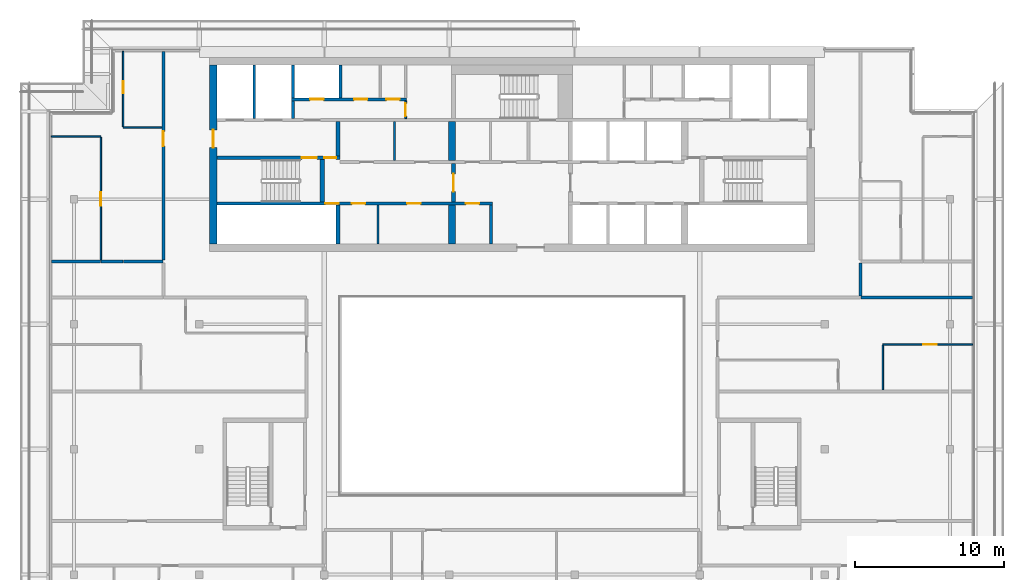
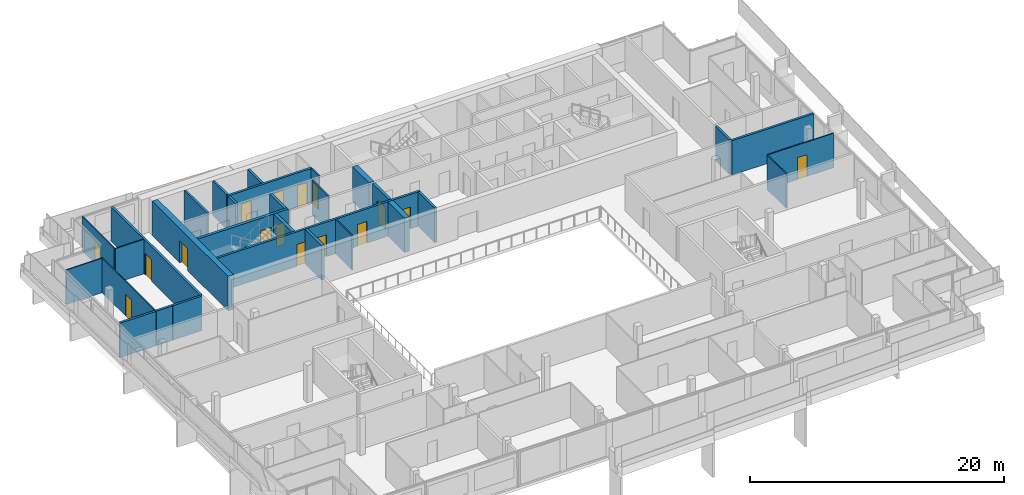
# One storey, part 17 of 26: 30 walls, 16 doors, 16 openings.
"""IFC4 building model written with IfcOpenShell, lengths in metres."""

from ifc_helpers import new_model, si_unit, direction, frame, frame_2d, origin, place, context, subcontext, project, spatial, rectangle, extrude, material, layer, layer_set, type_object, element, fill, save


model = new_model("IFC4")

# Units and contexts
model_context = context("Model", 3, precision=1e-05, world=origin(), true_north=direction((0.0, 1.0)))
body_context = subcontext(model_context, "Body", "Model", "MODEL_VIEW")
ifc_project = project(units=[si_unit("LENGTHUNIT", "METRE"), si_unit("AREAUNIT", "SQUARE_METRE"), si_unit("VOLUMEUNIT", "CUBIC_METRE"), si_unit("PLANEANGLEUNIT", "RADIAN"), si_unit("MASSUNIT", "GRAM", prefix="KILO")], contexts=[model_context])

# Site, building, storey
site_placement = place(None, origin())
site = spatial("IfcSite", under=ifc_project, at=site_placement, CompositionType="ELEMENT")
building_placement = place(site_placement, origin())
building = spatial("IfcBuilding", under=site, at=building_placement, Name="Saffron Gate Tower", CompositionType="ELEMENT")
storey_placement = place(building_placement, frame((0.0, 0.0, 277.949951171875)))
storey = spatial("IfcBuildingStorey", under=building, at=storey_placement, Name="L67", CompositionType="ELEMENT", Elevation=277.949951171875)

# Wall
ifc_material_1 = material(Name="Gypsum board partition on steel studs", Category="steel")
ifc_layer_1 = layer(ifc_material_1, 0.199951171875)
ifc_layer_set_1 = layer_set([ifc_layer_1], Name="CW10 Core partition 200")
wall_type_1 = type_object("IfcWallType", Name="CW10 Core partition 200", PredefinedType="PARTITIONING", material=ifc_layer_set_1)
wall_1_placement = place(storey_placement, frame((86.199951171875, 62.39990234375, 0.0), z_axis=(0.0, 0.0, 1.0), x_axis=(0.0, 1.0, 0.0)))
element("IfcWall", 1, at=wall_1_placement, inside=storey, type_object=wall_type_1, Name="Wall CW10-L67-8", PredefinedType="PARTITIONING", context=body_context, shape_type="SweptSolid", body=[
    extrude(rectangle(XDim=2.60009765625, YDim=0.199951171875, at=frame_2d((1.300048828125, 0.0))), origin(), (0.0, 0.0, 1.0), 3.320068359375),
])

# Wall, opening, door
ifc_material_2 = material(Name="Concrete C50", Category="concrete")
ifc_layer_2 = layer(ifc_material_2, 0.5)
ifc_layer_set_2 = layer_set([ifc_layer_2], Name="CW22 RC core wall 500 C50")
wall_type_2 = type_object("IfcWallType", Name="CW22 RC core wall 500 C50", PredefinedType="SOLIDWALL", material=ifc_layer_set_2)
wall_2_placement = place(storey_placement, frame((67.550048828125, 62.39990234375, 0.0), z_axis=(0.0, 0.0, 1.0), x_axis=(0.0, 1.0, 0.0)))
wall_2 = element("IfcWall", 2, at=wall_2_placement, inside=storey, type_object=wall_type_2, Name="Wall CW22-L67-3", PredefinedType="SOLIDWALL", context=body_context, shape_type="SweptSolid", body=[
    extrude(rectangle(XDim=12.0, YDim=0.5, at=frame_2d((6.0, 0.0))), origin(), (0.0, 0.0, 1.0), 3.320068359375),
])
opening_1_placement = place(wall_2_placement, frame((6.449951171875, 0.0, 0.0)))
opening_1 = element("IfcOpeningElement", 3, at=opening_1_placement, cuts=wall_2, Name="Opening CR-10", PredefinedType="OPENING", context=body_context, shape_type="SweptSolid", body=[
    extrude(rectangle(XDim=1.199951171875, YDim=2.10009765625, at=frame_2d((0.60009765625, 1.050048828125))), frame((0.0, 0.260009765625, 0.0), z_axis=(0.0, -1.0, 0.0), x_axis=(1.0, 0.0, 0.0)), (0.0, 0.0, 1.0), 0.52001953125),
])
ifc_material_3 = material(Name="Steel fire door set", Category="steel")
door_type_1 = type_object("IfcDoorType", Name="CD7 Core entrance door 1200x2100 EI 120", OperationType="NOTDEFINED", PredefinedType="DOOR", material=ifc_material_3)
door_1_placement = place(opening_1_placement, origin())
door_1 = element("IfcDoor", 4, at=door_1_placement, inside=storey, type_object=door_type_1, Name="DOOR CR-10", OperationType="SINGLE_SWING_LEFT", OverallHeight=2.10009765625, OverallWidth=1.199951171875, PredefinedType="DOOR", context=body_context, shape_type="SweptSolid", body=[
    extrude(rectangle(XDim=1.199951171875, YDim=2.10009765625, at=frame_2d((0.60009765625, 1.050048828125))), frame((0.0, 0.02490234375, 0.0), z_axis=(0.0, -1.0, 0.0), x_axis=(1.0, 0.0, 0.0)), (0.0, 0.0, 1.0), 0.050048828125),
])
fill(opening_1, door_1)

# Wall
ifc_layer_3 = layer(ifc_material_2, 0.25)
ifc_layer_set_3 = layer_set([ifc_layer_3], Name="CW23 RC core wall 250 C50")
wall_type_3 = type_object("IfcWallType", Name="CW23 RC core wall 250 C50", PredefinedType="SOLIDWALL", material=ifc_layer_set_3)
wall_3_placement = place(storey_placement, frame((75.925048828125, 62.39990234375, 0.0), z_axis=(0.0, 0.0, 1.0), x_axis=(0.0, 1.0, 0.0)))
element("IfcWall", 5, at=wall_3_placement, inside=storey, type_object=wall_type_3, Name="Wall CW23-L67-5", PredefinedType="SOLIDWALL", context=body_context, shape_type="SweptSolid", body=[
    extrude(rectangle(XDim=2.60009765625, YDim=0.25, at=frame_2d((1.300048828125, 0.0))), origin(), (0.0, 0.0, 1.0), 3.320068359375),
])

# Wall, opening, door
wall_4_placement = place(storey_placement, frame((83.675048828125, 65.199951171875, 0.0), z_axis=(0.0, 0.0, 1.0), x_axis=(0.0, 1.0, 0.0)))
wall_4 = element("IfcWall", 6, at=wall_4_placement, inside=storey, type_object=wall_type_3, Name="Wall CW23-L67-16", PredefinedType="SOLIDWALL", context=body_context, shape_type="SweptSolid", body=[
    extrude(rectangle(XDim=2.60009765625, YDim=0.25, at=frame_2d((1.300048828125, 0.0))), origin(), (0.0, 0.0, 1.0), 3.320068359375),
])
opening_2_placement = place(wall_4_placement, frame((0.699951171875, 0.0, 0.0)))
opening_2 = element("IfcOpeningElement", 7, at=opening_2_placement, cuts=wall_4, Name="Opening CR-07", PredefinedType="OPENING", context=body_context, shape_type="SweptSolid", body=[
    extrude(rectangle(XDim=1.199951171875, YDim=2.10009765625, at=frame_2d((0.60009765625, 1.050048828125))), frame((0.0, 0.135009765625, 0.0), z_axis=(0.0, -1.0, 0.0), x_axis=(1.0, 0.0, 0.0)), (0.0, 0.0, 1.0), 0.27001953125),
])
door_type_2 = type_object("IfcDoorType", Name="CD3 Lobby door 1200x2100 EI 120", OperationType="NOTDEFINED", PredefinedType="DOOR", material=ifc_material_3)
door_2_placement = place(opening_2_placement, origin())
door_2 = element("IfcDoor", 8, at=door_2_placement, inside=storey, type_object=door_type_2, Name="DOOR CR-07", OperationType="SINGLE_SWING_RIGHT", OverallHeight=2.10009765625, OverallWidth=1.199951171875, PredefinedType="DOOR", context=body_context, shape_type="SweptSolid", body=[
    extrude(rectangle(XDim=1.199951171875, YDim=2.10009765625, at=frame_2d((0.60009765625, 1.050048828125))), frame((0.0, 0.02490234375, 0.0), z_axis=(0.0, -1.0, 0.0), x_axis=(1.0, 0.0, 0.0)), (0.0, 0.0, 1.0), 0.050048828125),
])
fill(opening_2, door_2)

# Wall, openings, doors
wall_5_placement = place(storey_placement, frame((67.800048828125, 68.175048828125, 0.0), z_axis=(0.0, 0.0, 1.0), x_axis=(1.0, 0.0, 0.0)))
wall_5 = element("IfcWall", 9, at=wall_5_placement, inside=storey, type_object=wall_type_3, Name="Wall CW23-L67-28", PredefinedType="SOLIDWALL", context=body_context, shape_type="SweptSolid", body=[
    extrude(rectangle(XDim=8.25, YDim=0.25, at=frame_2d((4.125, 0.0))), origin(), (0.0, 0.0, 1.0), 3.320068359375),
])
opening_3_placement = place(wall_5_placement, frame((5.699951171875, 0.0, 0.0)))
opening_3 = element("IfcOpeningElement", 10, at=opening_3_placement, cuts=wall_5, Name="Opening CR-15", PredefinedType="OPENING", context=body_context, shape_type="SweptSolid", body=[
    extrude(rectangle(XDim=1.0, YDim=2.10009765625, at=frame_2d((0.5, 1.050048828125))), frame((0.0, 0.135009765625, 0.0), z_axis=(0.0, -1.0, 0.0), x_axis=(1.0, 0.0, 0.0)), (0.0, 0.0, 1.0), 0.27001953125),
])
opening_4_placement = place(wall_5_placement, frame((7.199951171875, 0.0, 0.0)))
opening_4 = element("IfcOpeningElement", 11, at=opening_4_placement, cuts=wall_5, Name="Opening CR-06", PredefinedType="OPENING", context=body_context, shape_type="SweptSolid", body=[
    extrude(rectangle(XDim=0.800048828125, YDim=2.10009765625, at=frame_2d((0.39990234375, 1.050048828125))), frame((0.0, 0.135009765625, 0.0), z_axis=(0.0, -1.0, 0.0), x_axis=(1.0, 0.0, 0.0)), (0.0, 0.0, 1.0), 0.27001953125),
])
door_type_3 = type_object("IfcDoorType", Name="CD5 Stair door 1000x2100 EI 120", OperationType="NOTDEFINED", PredefinedType="DOOR", material=ifc_material_3)
door_3_placement = place(opening_3_placement, origin())
door_3 = element("IfcDoor", 12, at=door_3_placement, inside=storey, type_object=door_type_3, Name="DOOR CR-15", OperationType="SINGLE_SWING_RIGHT", OverallHeight=2.10009765625, OverallWidth=1.0, PredefinedType="DOOR", context=body_context, shape_type="SweptSolid", body=[
    extrude(rectangle(XDim=1.0, YDim=2.10009765625, at=frame_2d((0.5, 1.050048828125))), frame((0.0, 0.02490234375, 0.0), z_axis=(0.0, -1.0, 0.0), x_axis=(1.0, 0.0, 0.0)), (0.0, 0.0, 1.0), 0.050048828125),
])
fill(opening_3, door_3)
door_type_4 = type_object("IfcDoorType", Name="CD6 Lobby door 800x2100 EI 120", OperationType="NOTDEFINED", PredefinedType="DOOR", material=ifc_material_3)
door_4_placement = place(opening_4_placement, origin())
door_4 = element("IfcDoor", 13, at=door_4_placement, inside=storey, type_object=door_type_4, Name="DOOR CR-06", OperationType="SINGLE_SWING_LEFT", OverallHeight=2.10009765625, OverallWidth=0.800048828125, PredefinedType="DOOR", context=body_context, shape_type="SweptSolid", body=[
    extrude(rectangle(XDim=0.800048828125, YDim=2.10009765625, at=frame_2d((0.39990234375, 1.050048828125))), frame((0.0, 0.02490234375, 0.0), z_axis=(0.0, -1.0, 0.0), x_axis=(1.0, 0.0, 0.0)), (0.0, 0.0, 1.0), 0.050048828125),
])
fill(opening_4, door_4)

# Walls
wall_6_placement = place(storey_placement, frame((75.925048828125, 68.300048828125, 0.0), z_axis=(0.0, 0.0, 1.0), x_axis=(0.0, 1.0, 0.0)))
element("IfcWall", 14, at=wall_6_placement, inside=storey, type_object=wall_type_3, Name="Wall CW23-L67-30", PredefinedType="SOLIDWALL", context=body_context, shape_type="SweptSolid", body=[
    extrude(rectangle(XDim=2.300048828125, YDim=0.25, at=frame_2d((1.14990234375, 0.0))), origin(), (0.0, 0.0, 1.0), 3.320068359375),
])
ifc_layer_4 = layer(ifc_material_2, 0.449951171875)
ifc_layer_set_4 = layer_set([ifc_layer_4], Name="CW24 RC core wall 450 C50")
wall_type_4 = type_object("IfcWallType", Name="CW24 RC core wall 450 C50", PredefinedType="SOLIDWALL", material=ifc_layer_set_4)
for number, where, z_axis, x_axis, name in (
    (15, (83.574951171875, 62.39990234375, 0.0), (0.0, 0.0, 1.0), (0.0, 1.0, 0.0), "Wall CW24-L67-7"),
    (16, (83.574951171875, 68.0, 0.0), (0.0, 0.0, 1.0), (0.0, 1.0, 0.0), "Wall CW24-L67-21"),
):
    element("IfcWall", number, at=place(storey_placement, frame(where, z_axis=z_axis, x_axis=x_axis)), inside=storey, type_object=wall_type_4, Name=name, PredefinedType="SOLIDWALL", context=body_context, shape_type="SweptSolid", body=[
        extrude(rectangle(XDim=2.60009765625, YDim=0.449951171875, at=frame_2d((1.300048828125, 0.0))), origin(), (0.0, 0.0, 1.0), 3.320068359375),
    ])

# Wall, openings, doors
ifc_layer_5 = layer(ifc_material_2, 0.199951171875)
ifc_layer_set_5 = layer_set([ifc_layer_5], Name="CW25 RC core wall 200 C50")
wall_type_5 = type_object("IfcWallType", Name="CW25 RC core wall 200 C50", PredefinedType="SOLIDWALL", material=ifc_layer_set_5)
wall_7_placement = place(storey_placement, frame((67.800048828125, 65.10009765625, 0.0), z_axis=(0.0, 0.0, 1.0), x_axis=(1.0, 0.0, 0.0)))
wall_7 = element("IfcWall", 17, at=wall_7_placement, inside=storey, type_object=wall_type_5, Name="Wall CW25-L67-13", PredefinedType="SOLIDWALL", context=body_context, shape_type="SweptSolid", body=[
    extrude(rectangle(XDim=18.5, YDim=0.199951171875, at=frame_2d((9.25, 0.0))), origin(), (0.0, 0.0, 1.0), 3.320068359375),
])
opening_5_placement = place(wall_7_placement, frame((7.27001953125, 0.0, 0.0)))
opening_5 = element("IfcOpeningElement", 18, at=opening_5_placement, cuts=wall_7, Name="Opening CR-49", PredefinedType="OPENING", context=body_context, shape_type="SweptSolid", body=[
    extrude(rectangle(XDim=0.89990234375, YDim=2.10009765625, at=frame_2d((0.449951171875, 1.050048828125))), frame((0.0, 0.10986328125, 0.0), z_axis=(0.0, -1.0, 0.0), x_axis=(1.0, 0.0, 0.0)), (0.0, 0.0, 1.0), 0.219970703125),
])
opening_6_placement = place(wall_7_placement, frame((9.050048828125, 0.0, 0.0)))
opening_6 = element("IfcOpeningElement", 19, at=opening_6_placement, cuts=wall_7, Name="Opening CR-64", PredefinedType="OPENING", context=body_context, shape_type="SweptSolid", body=[
    extrude(rectangle(XDim=0.89990234375, YDim=2.10009765625, at=frame_2d((0.449951171875, 1.050048828125))), frame((0.0, 0.10986328125, 0.0), z_axis=(0.0, -1.0, 0.0), x_axis=(1.0, 0.0, 0.0)), (0.0, 0.0, 1.0), 0.219970703125),
])
opening_7_placement = place(wall_7_placement, frame((12.760009765625, 0.0, 0.0)))
opening_7 = element("IfcOpeningElement", 20, at=opening_7_placement, cuts=wall_7, Name="Opening CR-65", PredefinedType="OPENING", context=body_context, shape_type="SweptSolid", body=[
    extrude(rectangle(XDim=0.89990234375, YDim=2.10009765625, at=frame_2d((0.449951171875, 1.050048828125))), frame((0.0, 0.10986328125, 0.0), z_axis=(0.0, -1.0, 0.0), x_axis=(1.0, 0.0, 0.0)), (0.0, 0.0, 1.0), 0.219970703125),
])
opening_8_placement = place(wall_7_placement, frame((16.699951171875, 0.0, 0.0)))
opening_8 = element("IfcOpeningElement", 21, at=opening_8_placement, cuts=wall_7, Name="Opening CR-69", PredefinedType="OPENING", context=body_context, shape_type="SweptSolid", body=[
    extrude(rectangle(XDim=0.89990234375, YDim=2.10009765625, at=frame_2d((0.449951171875, 1.050048828125))), frame((0.0, 0.10986328125, 0.0), z_axis=(0.0, -1.0, 0.0), x_axis=(1.0, 0.0, 0.0)), (0.0, 0.0, 1.0), 0.219970703125),
])
door_type_5 = type_object("IfcDoorType", Name="CD2 Riser door 900x2100 EI 60", OperationType="NOTDEFINED", PredefinedType="DOOR", material=ifc_material_3)
door_5_placement = place(opening_5_placement, origin())
door_5 = element("IfcDoor", 22, at=door_5_placement, inside=storey, type_object=door_type_5, Name="DOOR CR-49", OperationType="SINGLE_SWING_LEFT", OverallHeight=2.10009765625, OverallWidth=0.89990234375, PredefinedType="DOOR", context=body_context, shape_type="SweptSolid", body=[
    extrude(rectangle(XDim=0.89990234375, YDim=2.10009765625, at=frame_2d((0.449951171875, 1.050048828125))), frame((0.0, 0.02490234375, 0.0), z_axis=(0.0, -1.0, 0.0), x_axis=(1.0, 0.0, 0.0)), (0.0, 0.0, 1.0), 0.050048828125),
])
fill(opening_5, door_5)
door_type_6 = type_object("IfcDoorType", Name="CD9 Room door 900x2100 EI 60", OperationType="NOTDEFINED", PredefinedType="DOOR", material=ifc_material_3)
door_6_placement = place(opening_6_placement, origin())
door_6 = element("IfcDoor", 23, at=door_6_placement, inside=storey, type_object=door_type_6, Name="DOOR CR-64", OperationType="SINGLE_SWING_RIGHT", OverallHeight=2.10009765625, OverallWidth=0.89990234375, PredefinedType="DOOR", context=body_context, shape_type="SweptSolid", body=[
    extrude(rectangle(XDim=0.89990234375, YDim=2.10009765625, at=frame_2d((0.449951171875, 1.050048828125))), frame((0.0, 0.02490234375, 0.0), z_axis=(0.0, -1.0, 0.0), x_axis=(1.0, 0.0, 0.0)), (0.0, 0.0, 1.0), 0.050048828125),
])
fill(opening_6, door_6)
door_7_placement = place(opening_7_placement, origin())
door_7 = element("IfcDoor", 24, at=door_7_placement, inside=storey, type_object=door_type_6, Name="DOOR CR-65", OperationType="SINGLE_SWING_RIGHT", OverallHeight=2.10009765625, OverallWidth=0.89990234375, PredefinedType="DOOR", context=body_context, shape_type="SweptSolid", body=[
    extrude(rectangle(XDim=0.89990234375, YDim=2.10009765625, at=frame_2d((0.449951171875, 1.050048828125))), frame((0.0, 0.02490234375, 0.0), z_axis=(0.0, -1.0, 0.0), x_axis=(1.0, 0.0, 0.0)), (0.0, 0.0, 1.0), 0.050048828125),
])
fill(opening_7, door_7)
door_8_placement = place(opening_8_placement, origin())
door_8 = element("IfcDoor", 25, at=door_8_placement, inside=storey, type_object=door_type_6, Name="DOOR CR-69", OperationType="SINGLE_SWING_RIGHT", OverallHeight=2.10009765625, OverallWidth=0.89990234375, PredefinedType="DOOR", context=body_context, shape_type="SweptSolid", body=[
    extrude(rectangle(XDim=0.89990234375, YDim=2.10009765625, at=frame_2d((0.449951171875, 1.050048828125))), frame((0.0, 0.02490234375, 0.0), z_axis=(0.0, -1.0, 0.0), x_axis=(1.0, 0.0, 0.0)), (0.0, 0.0, 1.0), 0.050048828125),
])
fill(opening_8, door_8)

# Walls
wall_8_placement = place(storey_placement, frame((70.300048828125, 70.800048828125, 0.0), z_axis=(0.0, 0.0, 1.0), x_axis=(0.0, 1.0, 0.0)))
element("IfcWall", 26, at=wall_8_placement, inside=storey, type_object=wall_type_5, Name="Wall CW25-L67-33", PredefinedType="SOLIDWALL", context=body_context, shape_type="SweptSolid", body=[
    extrude(rectangle(XDim=3.599853515625, YDim=0.199951171875, at=frame_2d((1.7998046875, 0.0))), origin(), (0.0, 0.0, 1.0), 3.320068359375),
])
wall_9_placement = place(storey_placement, frame((72.89990234375, 70.800048828125, 0.0), z_axis=(0.0, 0.0, 1.0), x_axis=(0.0, 1.0, 0.0)))
element("IfcWall", 27, at=wall_9_placement, inside=storey, type_object=wall_type_5, Name="Wall CW25-L67-34", PredefinedType="SOLIDWALL", context=body_context, shape_type="SweptSolid", body=[
    extrude(rectangle(XDim=1.199951171875, YDim=0.199951171875, at=frame_2d((0.60009765625, 0.0))), origin(), (0.0, 0.0, 1.0), 3.320068359375),
])

# Wall, openings, doors
wall_10_placement = place(storey_placement, frame((72.800048828125, 72.10009765625, 0.0), z_axis=(0.0, 0.0, 1.0), x_axis=(1.0, 0.0, 0.0)))
wall_10 = element("IfcWall", 28, at=wall_10_placement, inside=storey, type_object=wall_type_5, Name="Wall CW25-L67-41", PredefinedType="SOLIDWALL", context=body_context, shape_type="SweptSolid", body=[
    extrude(rectangle(XDim=7.719970703125, YDim=0.199951171875, at=frame_2d((3.85986328125, 0.0))), origin(), (0.0, 0.0, 1.0), 3.320068359375),
])
opening_9_placement = place(wall_10_placement, frame((1.25, 0.0, 0.0)))
opening_9 = element("IfcOpeningElement", 29, at=opening_9_placement, cuts=wall_10, Name="Opening CR-71", PredefinedType="OPENING", context=body_context, shape_type="SweptSolid", body=[
    extrude(rectangle(XDim=0.89990234375, YDim=2.10009765625, at=frame_2d((0.449951171875, 1.050048828125))), frame((0.0, 0.10986328125, 0.0), z_axis=(0.0, -1.0, 0.0), x_axis=(1.0, 0.0, 0.0)), (0.0, 0.0, 1.0), 0.219970703125),
])
opening_10_placement = place(wall_10_placement, frame((4.199951171875, 0.0, 0.0)))
opening_10 = element("IfcOpeningElement", 30, at=opening_10_placement, cuts=wall_10, Name="Opening CR-55", PredefinedType="OPENING", context=body_context, shape_type="SweptSolid", body=[
    extrude(rectangle(XDim=0.89990234375, YDim=2.10009765625, at=frame_2d((0.449951171875, 1.050048828125))), frame((0.0, 0.10986328125, 0.0), z_axis=(0.0, -1.0, 0.0), x_axis=(1.0, 0.0, 0.0)), (0.0, 0.0, 1.0), 0.219970703125),
])
opening_11_placement = place(wall_10_placement, frame((6.360107421875, 0.0, 0.0)))
opening_11 = element("IfcOpeningElement", 31, at=opening_11_placement, cuts=wall_10, Name="Opening CR-58", PredefinedType="OPENING", context=body_context, shape_type="SweptSolid", body=[
    extrude(rectangle(XDim=0.89990234375, YDim=2.10009765625, at=frame_2d((0.449951171875, 1.050048828125))), frame((0.0, 0.10986328125, 0.0), z_axis=(0.0, -1.0, 0.0), x_axis=(1.0, 0.0, 0.0)), (0.0, 0.0, 1.0), 0.219970703125),
])
door_9_placement = place(opening_9_placement, origin())
door_9 = element("IfcDoor", 32, at=door_9_placement, inside=storey, type_object=door_type_5, Name="DOOR CR-71", OperationType="SINGLE_SWING_LEFT", OverallHeight=2.10009765625, OverallWidth=0.89990234375, PredefinedType="DOOR", context=body_context, shape_type="SweptSolid", body=[
    extrude(rectangle(XDim=0.89990234375, YDim=2.10009765625, at=frame_2d((0.449951171875, 1.050048828125))), frame((0.0, 0.02490234375, 0.0), z_axis=(0.0, -1.0, 0.0), x_axis=(1.0, 0.0, 0.0)), (0.0, 0.0, 1.0), 0.050048828125),
])
fill(opening_9, door_9)
door_10_placement = place(opening_10_placement, origin())
door_10 = element("IfcDoor", 33, at=door_10_placement, inside=storey, type_object=door_type_6, Name="DOOR CR-55", OperationType="SINGLE_SWING_LEFT", OverallHeight=2.10009765625, OverallWidth=0.89990234375, PredefinedType="DOOR", context=body_context, shape_type="SweptSolid", body=[
    extrude(rectangle(XDim=0.89990234375, YDim=2.10009765625, at=frame_2d((0.449951171875, 1.050048828125))), frame((0.0, 0.02490234375, 0.0), z_axis=(0.0, -1.0, 0.0), x_axis=(1.0, 0.0, 0.0)), (0.0, 0.0, 1.0), 0.050048828125),
])
fill(opening_10, door_10)
door_11_placement = place(opening_11_placement, origin())
door_11 = element("IfcDoor", 34, at=door_11_placement, inside=storey, type_object=door_type_6, Name="DOOR CR-58", OperationType="SINGLE_SWING_LEFT", OverallHeight=2.10009765625, OverallWidth=0.89990234375, PredefinedType="DOOR", context=body_context, shape_type="SweptSolid", body=[
    extrude(rectangle(XDim=0.89990234375, YDim=2.10009765625, at=frame_2d((0.449951171875, 1.050048828125))), frame((0.0, 0.02490234375, 0.0), z_axis=(0.0, -1.0, 0.0), x_axis=(1.0, 0.0, 0.0)), (0.0, 0.0, 1.0), 0.050048828125),
])
fill(opening_11, door_11)

# Walls
for number, where, z_axis, x_axis, name in (
    (35, (72.89990234375, 72.199951171875, 0.0), (0.0, 0.0, 1.0), (0.0, 1.0, 0.0), "Wall CW25-L67-43"),
    (36, (76.10009765625, 72.199951171875, 0.0), (0.0, 0.0, 1.0), (0.0, 1.0, 0.0), "Wall CW25-L67-44"),
):
    element("IfcWall", number, at=place(storey_placement, frame(where, z_axis=z_axis, x_axis=x_axis)), inside=storey, type_object=wall_type_5, Name=name, PredefinedType="SOLIDWALL", context=body_context, shape_type="SweptSolid", body=[
        extrude(rectangle(XDim=2.199951171875, YDim=0.199951171875, at=frame_2d((1.10009765625, 0.0))), origin(), (0.0, 0.0, 1.0), 3.320068359375),
    ])
ifc_layer_6 = layer(ifc_material_2, 0.300048828125)
ifc_layer_set_6 = layer_set([ifc_layer_6], Name="CW26 RC core wall 300 C50")
wall_type_6 = type_object("IfcWallType", Name="CW26 RC core wall 300 C50", PredefinedType="SOLIDWALL", material=ifc_layer_set_6)
wall_11_placement = place(storey_placement, frame((74.85009765625, 65.199951171875, 0.0), z_axis=(0.0, 0.0, 1.0), x_axis=(0.0, 1.0, 0.0)))
element("IfcWall", 37, at=wall_11_placement, inside=storey, type_object=wall_type_6, Name="Wall CW26-L67-15", PredefinedType="SOLIDWALL", context=body_context, shape_type="SweptSolid", body=[
    extrude(rectangle(XDim=2.85009765625, YDim=0.300048828125, at=frame_2d((1.425048828125, 0.0))), origin(), (0.0, 0.0, 1.0), 3.320068359375),
])
ifc_layer_7 = layer(ifc_material_1, 0.1201171875)
ifc_layer_set_7 = layer_set([ifc_layer_7], Name="CW8 Core partition 120")
wall_type_7 = type_object("IfcWallType", Name="CW8 Core partition 120", PredefinedType="PARTITIONING", material=ifc_layer_set_7)
for number, where, z_axis, x_axis, name in (
    (38, (78.610107421875, 62.39990234375, 0.0), (0.0, 0.0, 1.0), (0.0, 1.0, 0.0), "Wall CW8-L67-6"),
    (39, (79.7099609375, 68.0, 0.0), (0.0, 0.0, 1.0), (0.0, 1.0, 0.0), "Wall CW8-L67-20"),
):
    element("IfcWall", number, at=place(storey_placement, frame(where, z_axis=z_axis, x_axis=x_axis)), inside=storey, type_object=wall_type_7, Name=name, PredefinedType="PARTITIONING", context=body_context, shape_type="SweptSolid", body=[
        extrude(rectangle(XDim=2.60009765625, YDim=0.1201171875, at=frame_2d((1.300048828125, 0.0))), origin(), (0.0, 0.0, 1.0), 3.320068359375),
    ])

# Wall, opening, door
wall_12_placement = place(storey_placement, frame((80.4599609375, 70.800048828125, 0.0), z_axis=(0.0, 0.0, 1.0), x_axis=(0.0, 1.0, 0.0)))
wall_12 = element("IfcWall", 40, at=wall_12_placement, inside=storey, type_object=wall_type_7, Name="Wall CW8-L67-35", PredefinedType="PARTITIONING", context=body_context, shape_type="SweptSolid", body=[
    extrude(rectangle(XDim=1.199951171875, YDim=0.1201171875, at=frame_2d((0.60009765625, 0.0))), origin(), (0.0, 0.0, 1.0), 3.320068359375),
])
opening_12_placement = place(wall_12_placement, frame((0.14990234375, 0.0, 0.0)))
opening_12 = element("IfcOpeningElement", 41, at=opening_12_placement, cuts=wall_12, Name="Opening CR-60", PredefinedType="OPENING", context=body_context, shape_type="SweptSolid", body=[
    extrude(rectangle(XDim=0.89990234375, YDim=2.10009765625, at=frame_2d((0.449951171875, 1.050048828125))), frame((0.0, 0.070068359375, 0.0), z_axis=(0.0, -1.0, 0.0), x_axis=(1.0, 0.0, 0.0)), (0.0, 0.0, 1.0), 0.14013671875),
])
door_12_placement = place(opening_12_placement, origin())
door_12 = element("IfcDoor", 42, at=door_12_placement, inside=storey, type_object=door_type_6, Name="DOOR CR-60", OperationType="SINGLE_SWING_RIGHT", OverallHeight=2.10009765625, OverallWidth=0.89990234375, PredefinedType="DOOR", context=body_context, shape_type="SweptSolid", body=[
    extrude(rectangle(XDim=0.89990234375, YDim=2.10009765625, at=frame_2d((0.449951171875, 1.050048828125))), frame((0.0, 0.02490234375, 0.0), z_axis=(0.0, -1.0, 0.0), x_axis=(1.0, 0.0, 0.0)), (0.0, 0.0, 1.0), 0.050048828125),
])
fill(opening_12, door_12)

ifc_material_4 = material(Name="Plasterboard on steel studs", Category="steel")
ifc_layer_8 = layer(ifc_material_4, 0.10009765625)
ifc_layer_set_8 = layer_set([ifc_layer_8], Name="PW1 Partition 100")
wall_type_8 = type_object("IfcWallType", Name="PW1 Partition 100", PredefinedType="PARTITIONING", material=ifc_layer_set_8)
wall_13_placement = place(storey_placement, frame((118.52001953125, 55.64990234375, 0.0), z_axis=(0.0, 0.0, 1.0), x_axis=(-1.0, 0.0, 0.0)))
wall_13 = element("IfcWall", 43, at=wall_13_placement, inside=storey, type_object=wall_type_8, Name="Partition E3-16", PredefinedType="PARTITIONING", context=body_context, shape_type="SweptSolid", body=[
    extrude(rectangle(XDim=6.02001953125, YDim=0.10009765625, at=frame_2d((3.010009765625, 0.0))), origin(), (0.0, 0.0, 1.0), 3.320068359375),
])
opening_13_placement = place(wall_13_placement, frame((2.419921875, 0.0, 0.0)))
opening_13 = element("IfcOpeningElement", 44, at=opening_13_placement, cuts=wall_13, Name="Opening E3-20", PredefinedType="OPENING", context=body_context, shape_type="SweptSolid", body=[
    extrude(rectangle(XDim=0.89990234375, YDim=2.10009765625, at=frame_2d((0.449951171875, 1.050048828125))), frame((0.0, 0.06005859375, 0.0), z_axis=(0.0, -1.0, 0.0), x_axis=(1.0, 0.0, 0.0)), (0.0, 0.0, 1.0), 0.1201171875),
])
ifc_material_5 = material(Name="Timber door set", Category="wood")
door_type_7 = type_object("IfcDoorType", Name="RD1 Room door 900x2100", OperationType="NOTDEFINED", PredefinedType="DOOR", material=ifc_material_5)
door_13_placement = place(opening_13_placement, origin())
door_13 = element("IfcDoor", 45, at=door_13_placement, inside=storey, type_object=door_type_7, Name="Door E3-20", OperationType="SINGLE_SWING_LEFT", OverallHeight=2.10009765625, OverallWidth=0.89990234375, PredefinedType="DOOR", context=body_context, shape_type="SweptSolid", body=[
    extrude(rectangle(XDim=0.89990234375, YDim=2.10009765625, at=frame_2d((0.449951171875, 1.050048828125))), frame((0.0, 0.02490234375, 0.0), z_axis=(0.0, -1.0, 0.0), x_axis=(1.0, 0.0, 0.0)), (0.0, 0.0, 1.0), 0.050048828125),
])
fill(opening_13, door_13)

# Walls
wall_14_placement = place(storey_placement, frame((56.679931640625, 69.60009765625, 0.0), z_axis=(0.0, 0.0, 1.0), x_axis=(1.0, 0.0, 0.0)))
element("IfcWall", 46, at=wall_14_placement, inside=storey, type_object=wall_type_8, Name="Partition E3-29", PredefinedType="PARTITIONING", context=body_context, shape_type="SweptSolid", body=[
    extrude(rectangle(XDim=3.320068359375, YDim=0.10009765625, at=frame_2d((1.66015625, 0.0))), origin(), (0.0, 0.0, 1.0), 3.320068359375),
])
wall_15_placement = place(storey_placement, frame((61.5, 70.199951171875, 0.0), z_axis=(0.0, 0.0, 1.0), x_axis=(1.0, 0.0, 0.0)))
element("IfcWall", 47, at=wall_15_placement, inside=storey, type_object=wall_type_8, Name="Partition E3-31", PredefinedType="PARTITIONING", context=body_context, shape_type="SweptSolid", body=[
    extrude(rectangle(XDim=2.60009765625, YDim=0.10009765625, at=frame_2d((1.300048828125, 0.0))), origin(), (0.0, 0.0, 1.0), 3.320068359375),
])

# Wall, opening, door
wall_16_placement = place(storey_placement, frame((60.0, 61.300048828125, 0.0), z_axis=(0.0, 0.0, 1.0), x_axis=(0.0, 1.0, 0.0)))
wall_16 = element("IfcWall", 48, at=wall_16_placement, inside=storey, type_object=wall_type_8, Name="Partition E3-32", PredefinedType="PARTITIONING", context=body_context, shape_type="SweptSolid", body=[
    extrude(rectangle(XDim=8.25, YDim=0.10009765625, at=frame_2d((4.125, 0.0))), origin(), (0.0, 0.0, 1.0), 3.320068359375),
])
opening_14_placement = place(wall_16_placement, frame((3.64990234375, 0.0, 0.0)))
opening_14 = element("IfcOpeningElement", 49, at=opening_14_placement, cuts=wall_16, Name="Opening E3-19", PredefinedType="OPENING", context=body_context, shape_type="SweptSolid", body=[
    extrude(rectangle(XDim=0.89990234375, YDim=2.10009765625, at=frame_2d((0.449951171875, 1.050048828125))), frame((0.0, 0.06005859375, 0.0), z_axis=(0.0, -1.0, 0.0), x_axis=(1.0, 0.0, 0.0)), (0.0, 0.0, 1.0), 0.1201171875),
])
door_14_placement = place(opening_14_placement, origin())
door_14 = element("IfcDoor", 50, at=door_14_placement, inside=storey, type_object=door_type_7, Name="Door E3-19", OperationType="SINGLE_SWING_LEFT", OverallHeight=2.10009765625, OverallWidth=0.89990234375, PredefinedType="DOOR", context=body_context, shape_type="SweptSolid", body=[
    extrude(rectangle(XDim=0.89990234375, YDim=2.10009765625, at=frame_2d((0.449951171875, 1.050048828125))), frame((0.0, 0.02490234375, 0.0), z_axis=(0.0, -1.0, 0.0), x_axis=(1.0, 0.0, 0.0)), (0.0, 0.0, 1.0), 0.050048828125),
])
fill(opening_14, door_14)

wall_17_placement = place(storey_placement, frame((61.5, 75.320068359375, 0.0), z_axis=(0.0, 0.0, 1.0), x_axis=(0.0, -1.0, 0.0)))
wall_17 = element("IfcWall", 51, at=wall_17_placement, inside=storey, type_object=wall_type_8, Name="Partition E3-34", PredefinedType="PARTITIONING", context=body_context, shape_type="SweptSolid", body=[
    extrude(rectangle(XDim=5.070068359375, YDim=0.10009765625, at=frame_2d((2.53515625, 0.0))), origin(), (0.0, 0.0, 1.0), 3.320068359375),
])
opening_15_placement = place(wall_17_placement, frame((2.02001953125, 0.0, 0.0)))
opening_15 = element("IfcOpeningElement", 52, at=opening_15_placement, cuts=wall_17, Name="Opening E3-29", PredefinedType="OPENING", context=body_context, shape_type="SweptSolid", body=[
    extrude(rectangle(XDim=0.800048828125, YDim=2.10009765625, at=frame_2d((0.39990234375, 1.050048828125))), frame((0.0, 0.06005859375, 0.0), z_axis=(0.0, -1.0, 0.0), x_axis=(1.0, 0.0, 0.0)), (0.0, 0.0, 1.0), 0.1201171875),
])
door_type_8 = type_object("IfcDoorType", Name="RD2 Bathroom door 800x2100", OperationType="NOTDEFINED", PredefinedType="DOOR", material=ifc_material_5)
door_15_placement = place(opening_15_placement, origin())
door_15 = element("IfcDoor", 53, at=door_15_placement, inside=storey, type_object=door_type_8, Name="Door E3-29", OperationType="SINGLE_SWING_LEFT", OverallHeight=2.10009765625, OverallWidth=0.800048828125, PredefinedType="DOOR", context=body_context, shape_type="SweptSolid", body=[
    extrude(rectangle(XDim=0.800048828125, YDim=2.10009765625, at=frame_2d((0.39990234375, 1.050048828125))), frame((0.0, 0.02490234375, 0.0), z_axis=(0.0, -1.0, 0.0), x_axis=(1.0, 0.0, 0.0)), (0.0, 0.0, 1.0), 0.050048828125),
])
fill(opening_15, door_15)

# Wall
wall_18_placement = place(storey_placement, frame((112.5, 55.60009765625, 0.0), z_axis=(0.0, 0.0, 1.0), x_axis=(0.0, -1.0, 0.0)))
element("IfcWall", 54, at=wall_18_placement, inside=storey, type_object=wall_type_8, Name="Partition E3-69", PredefinedType="PARTITIONING", context=body_context, shape_type="SweptSolid", body=[
    extrude(rectangle(XDim=3.0, YDim=0.10009765625, at=frame_2d((1.5, 0.0))), origin(), (0.0, 0.0, 1.0), 3.320068359375),
])

# Wall, opening, door
ifc_material_6 = material(Name="Clay brick masonry, rendered", Category="masonry")
ifc_layer_9 = layer(ifc_material_6, 0.199951171875)
ifc_layer_set_9 = layer_set([ifc_layer_9], Name="PW3 Corridor wall 200")
wall_type_9 = type_object("IfcWallType", Name="PW3 Corridor wall 200", PredefinedType="PARTITIONING", material=ifc_layer_set_9)
wall_19_placement = place(storey_placement, frame((64.199951171875, 61.300048828125, 0.0), z_axis=(0.0, 0.0, 1.0), x_axis=(0.0, 1.0, 0.0)))
wall_19 = element("IfcWall", 55, at=wall_19_placement, inside=storey, type_object=wall_type_9, Name="Wall E3-38", PredefinedType="PARTITIONING", context=body_context, shape_type="SweptSolid", body=[
    extrude(rectangle(XDim=14.02001953125, YDim=0.199951171875, at=frame_2d((7.010009765625, 0.0))), origin(), (0.0, 0.0, 1.0), 3.320068359375),
])
opening_16_placement = place(wall_19_placement, frame((7.64990234375, 0.0, 0.0)))
opening_16 = element("IfcOpeningElement", 56, at=opening_16_placement, cuts=wall_19, Name="Opening E3-5", PredefinedType="OPENING", context=body_context, shape_type="SweptSolid", body=[
    extrude(rectangle(XDim=1.0, YDim=2.10009765625, at=frame_2d((0.5, 1.050048828125))), frame((0.0, 0.10986328125, 0.0), z_axis=(0.0, -1.0, 0.0), x_axis=(1.0, 0.0, 0.0)), (0.0, 0.0, 1.0), 0.219970703125),
])
ifc_material_7 = material(Name="Timber fire door set", Category="wood")
door_type_9 = type_object("IfcDoorType", Name="FD1 Flat entry door 1000x2100", OperationType="NOTDEFINED", PredefinedType="DOOR", material=ifc_material_7)
door_16_placement = place(opening_16_placement, origin())
door_16 = element("IfcDoor", 57, at=door_16_placement, inside=storey, type_object=door_type_9, Name="Door E3-5", OperationType="SINGLE_SWING_LEFT", OverallHeight=2.10009765625, OverallWidth=1.0, PredefinedType="DOOR", context=body_context, shape_type="SweptSolid", body=[
    extrude(rectangle(XDim=1.0, YDim=2.10009765625, at=frame_2d((0.5, 1.050048828125))), frame((0.0, 0.02490234375, 0.0), z_axis=(0.0, -1.0, 0.0), x_axis=(1.0, 0.0, 0.0)), (0.0, 0.0, 1.0), 0.050048828125),
])
fill(opening_16, door_16)

# Walls
ifc_layer_10 = layer(ifc_material_6, 0.199951171875)
ifc_layer_set_10 = layer_set([ifc_layer_10], Name="PW5 Room wall 200")
wall_type_10 = type_object("IfcWallType", Name="PW5 Room wall 200", PredefinedType="PARTITIONING", material=ifc_layer_set_10)
wall_20_placement = place(storey_placement, frame((111.02001953125, 58.800048828125, 0.0), z_axis=(0.0, 0.0, 1.0), x_axis=(1.0, 0.0, 0.0)))
element("IfcWall", 58, at=wall_20_placement, inside=storey, type_object=wall_type_10, Name="Wall E3-21", PredefinedType="PARTITIONING", context=body_context, shape_type="SweptSolid", body=[
    extrude(rectangle(XDim=7.47998046875, YDim=0.199951171875, at=frame_2d((3.739990234375, 0.0))), origin(), (0.0, 0.0, 1.0), 3.320068359375),
])
wall_21_placement = place(storey_placement, frame((56.699951171875, 61.199951171875, 0.0), z_axis=(0.0, 0.0, 1.0), x_axis=(1.0, 0.0, 0.0)))
element("IfcWall", 59, at=wall_21_placement, inside=storey, type_object=wall_type_10, Name="Wall E3-22", PredefinedType="PARTITIONING", context=body_context, shape_type="SweptSolid", body=[
    extrude(rectangle(XDim=3.280029296875, YDim=0.199951171875, at=frame_2d((1.64013671875, 0.0))), origin(), (0.0, 0.0, 1.0), 3.320068359375),
])
wall_22_placement = place(storey_placement, frame((60.02001953125, 61.199951171875, 0.0), z_axis=(0.0, 0.0, 1.0), x_axis=(1.0, 0.0, 0.0)))
element("IfcWall", 60, at=wall_22_placement, inside=storey, type_object=wall_type_10, Name="Wall E3-23", PredefinedType="PARTITIONING", context=body_context, shape_type="SweptSolid", body=[
    extrude(rectangle(XDim=1.4599609375, YDim=0.199951171875, at=frame_2d((0.72998046875, 0.0))), origin(), (0.0, 0.0, 1.0), 3.320068359375),
])
wall_23_placement = place(storey_placement, frame((61.52001953125, 61.199951171875, 0.0), z_axis=(0.0, 0.0, 1.0), x_axis=(1.0, 0.0, 0.0)))
element("IfcWall", 61, at=wall_23_placement, inside=storey, type_object=wall_type_10, Name="Wall E3-24", PredefinedType="PARTITIONING", context=body_context, shape_type="SweptSolid", body=[
    extrude(rectangle(XDim=2.659912109375, YDim=0.199951171875, at=frame_2d((1.330078125, 0.0))), origin(), (0.0, 0.0, 1.0), 3.320068359375),
])
wall_24_placement = place(storey_placement, frame((111.0, 61.10009765625, 0.0), z_axis=(0.0, 0.0, 1.0), x_axis=(0.0, -1.0, 0.0)))
element("IfcWall", 62, at=wall_24_placement, inside=storey, type_object=wall_type_10, Name="Wall E3-67", PredefinedType="PARTITIONING", context=body_context, shape_type="SweptSolid", body=[
    extrude(rectangle(XDim=2.2001953125, YDim=0.199951171875, at=frame_2d((1.10009765625, 0.0))), origin(), (0.0, 0.0, 1.0), 3.320068359375),
])

save(model, "model.ifc")
